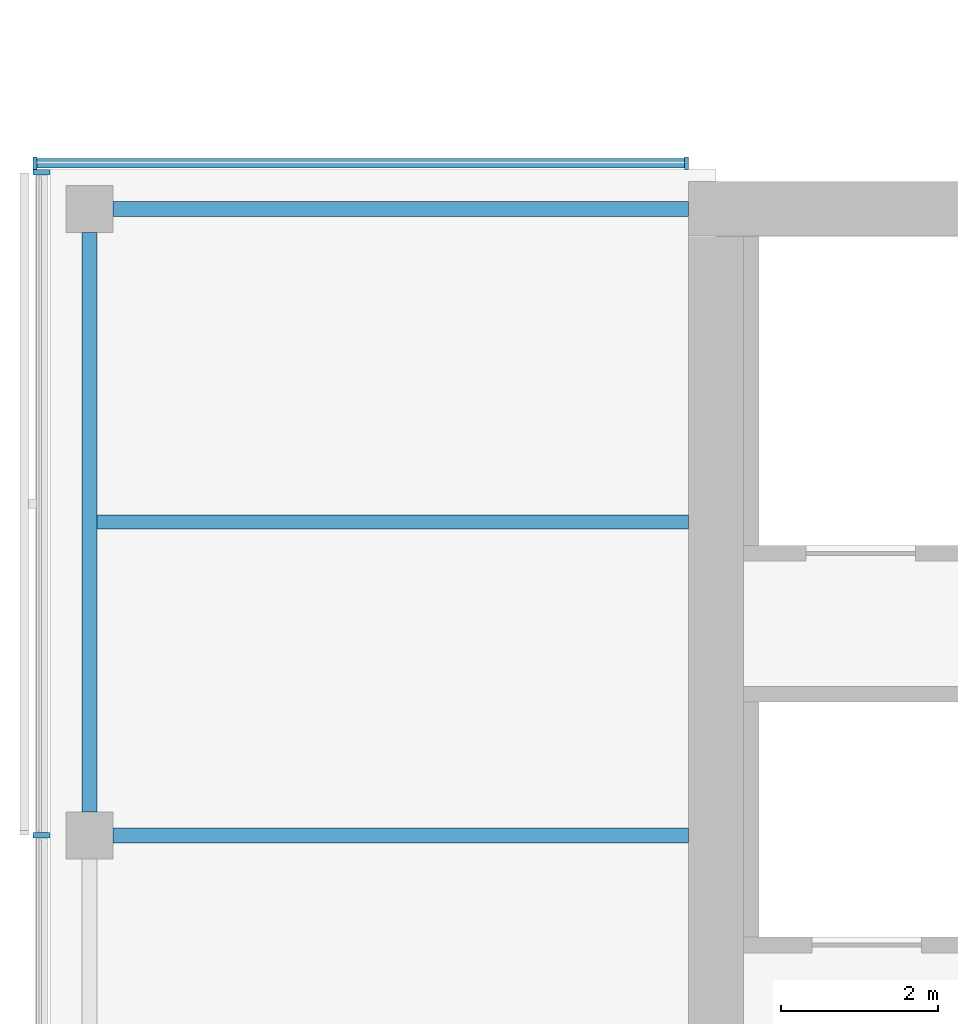
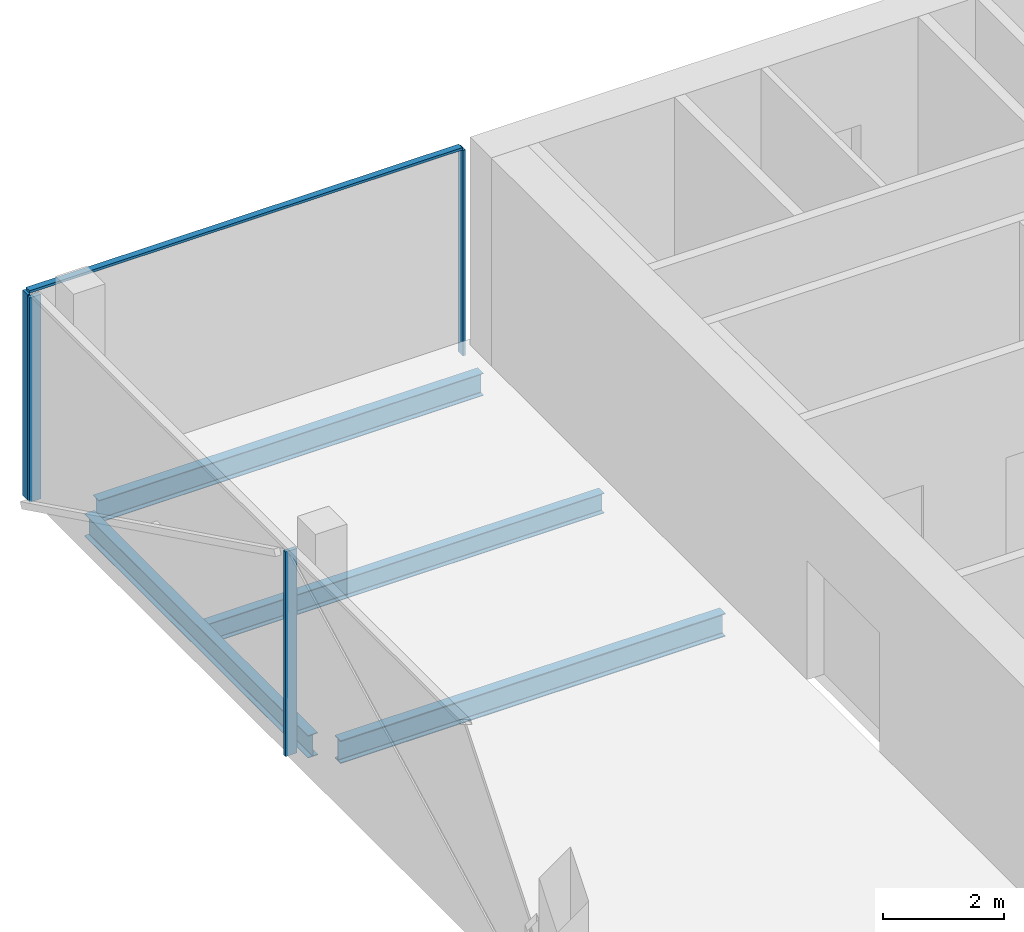
# One storey, part 7 of 22: 5 members, 4 beams, 2 elements without a shape of their own.
"""IFC4 building model written with IfcOpenShell, lengths in metres."""

from ifc_helpers import new_model, si_unit, direction, frame, origin, origin_2d, place, context, subcontext, project, spatial, rectangle, i_section, extrude, material, material_profile, profile_set, type_object, element, aggregate, save


model = new_model("IFC4")

# Units and contexts
model_context = context("Model", 3, precision=1e-05, world=origin(), true_north=direction((0.0, 1.0)))
body_context = subcontext(model_context, "Body", "Model", "MODEL_VIEW")
ifc_project = project(units=[si_unit("LENGTHUNIT", "METRE"), si_unit("AREAUNIT", "SQUARE_METRE"), si_unit("VOLUMEUNIT", "CUBIC_METRE"), si_unit("PLANEANGLEUNIT", "RADIAN"), si_unit("MASSUNIT", "GRAM", prefix="KILO")], contexts=[model_context])

# Site, building, storey
site_placement = place(None, origin())
site = spatial("IfcSite", under=ifc_project, at=site_placement, CompositionType="ELEMENT")
building_placement = place(site_placement, origin())
building = spatial("IfcBuilding", under=site, at=building_placement, Name="Crosswind Convention Tower", CompositionType="ELEMENT")
storey_placement = place(building_placement, frame((0.0, 0.0, 137.89990234375)))
storey = spatial("IfcBuildingStorey", under=building, at=storey_placement, Name="L28", CompositionType="ELEMENT", Elevation=137.89990234375)

# Beams
ifc_material_1 = material(Name="Steel S355", Category="steel")
ifc_material_profile_1 = material_profile(ifc_material_1, i_section(OverallWidth=0.18994140625, OverallDepth=0.45361328125, WebThickness=0.008544921875, FlangeThickness=0.0126953125, FilletRadius=0.01025390625, at=origin_2d()), Name="UB 457x191x67")
ifc_profile_set_1 = profile_set([ifc_material_profile_1], Name="Steel S355")
beam_type_1 = type_object("IfcBeamType", Name="Edge beam UB 457x191x67", PredefinedType="SPANDREL", material=ifc_profile_set_1)
beam_1_placement = place(storey_placement, frame((89.0, 104.300048828125, -0.526611328125), z_axis=(0.0, 1.0, 0.0), x_axis=(-1.0, 0.0, 0.0)))
element("IfcBeam", 1, at=beam_1_placement, inside=storey, type_object=beam_type_1, Name="B16 L28 edge beam 3", PredefinedType="SPANDREL", context=body_context, shape_type="SweptSolid", body=[
    extrude(i_section(OverallWidth=0.18994140625, OverallDepth=0.45361328125, WebThickness=0.008544921875, FlangeThickness=0.0126953125, FilletRadius=0.01025390625, at=origin_2d()), origin(), (0.0, 0.0, 1.0), 7.39990234375),
])
beam_2_placement = place(storey_placement, frame((89.300048828125, 112.0, -0.526611328125), z_axis=(1.0, 0.0, 0.0), x_axis=(0.0, 1.0, 0.0)))
element("IfcBeam", 2, at=beam_2_placement, inside=storey, type_object=beam_type_1, Name="B16 L28 edge beam 5", PredefinedType="SPANDREL", context=body_context, shape_type="SweptSolid", body=[
    extrude(i_section(OverallWidth=0.18994140625, OverallDepth=0.45361328125, WebThickness=0.008544921875, FlangeThickness=0.0126953125, FilletRadius=0.01025390625, at=origin_2d()), origin(), (0.0, 0.0, 1.0), 7.349853515625),
])
ifc_material_profile_2 = material_profile(ifc_material_1, i_section(OverallWidth=0.19189453125, OverallDepth=0.463623046875, WebThickness=0.010498046875, FlangeThickness=0.017578125, FilletRadius=0.01025390625, at=origin_2d()), Name="UB 457x191x90")
ifc_profile_set_2 = profile_set([ifc_material_profile_2], Name="Steel S355")
beam_type_2 = type_object("IfcBeamType", Name="Girder at core wall UB 457x191x90", PredefinedType="BEAM", material=ifc_profile_set_2)
beam_3_placement = place(storey_placement, frame((89.300048828125, 104.0, -0.53173828125), z_axis=(1.0, 0.0, 0.0), x_axis=(0.0, 1.0, 0.0)))
element("IfcBeam", 3, at=beam_3_placement, inside=storey, type_object=beam_type_2, Name="B24 L28 girder at core wall 2", PredefinedType="BEAM", context=body_context, shape_type="SweptSolid", body=[
    extrude(i_section(OverallWidth=0.19189453125, OverallDepth=0.463623046875, WebThickness=0.010498046875, FlangeThickness=0.017578125, FilletRadius=0.01025390625, at=origin_2d()), origin(), (0.0, 0.0, 1.0), 7.349853515625),
])

# Curtain wall, members
ifc_material_2 = material(Name="Aluminium unitised curtain wall", Category="aluminium")
curtain_wall_type_1 = type_object("IfcCurtainWallType", Name="CORE END SLOT WALL 160", PredefinedType="USERDEFINED", material=ifc_material_2)
curtain_wall_1_placement = place(storey_placement, origin())
curtain_wall_1 = element("IfcCurtainWall", 4, at=curtain_wall_1_placement, inside=storey, type_object=curtain_wall_type_1, Name="CW6 L28 W-N.2-1 slot", ObjectType="UNITISED", PredefinedType="USERDEFINED")
ifc_material_3 = material(Name="Aluminium mullion", Category="aluminium")
ifc_material_profile_3 = material_profile(ifc_material_3, rectangle(XDim=0.159912109375, YDim=0.050048828125, at=origin_2d()), Name="AL 160X50")
ifc_profile_set_3 = profile_set([ifc_material_profile_3], Name="Aluminium mullion")
member_type_1 = type_object("IfcMemberType", Name="MULLION 50X160", PredefinedType="MULLION", material=ifc_profile_set_3)
member_1_placement = place(storey_placement, frame((96.625, 112.580078125, -0.2998046875), z_axis=(0.0, 0.0, 1.0), x_axis=(0.0, 1.0, 0.0)))
member_1 = element("IfcMember", 5, at=member_1_placement, type_object=member_type_1, Name="CW6 mullion 1", PredefinedType="MULLION", context=body_context, shape_type="SweptSolid", body=[
    extrude(rectangle(XDim=0.159912109375, YDim=0.050048828125, at=origin_2d()), origin(), (0.0, 0.0, 1.0), 4.14990234375),
])
member_2_placement = place(storey_placement, frame((88.304931640625, 112.580078125, -0.2998046875), z_axis=(0.0, 0.0, 1.0), x_axis=(0.0, 1.0, 0.0)))
member_2 = element("IfcMember", 6, at=member_2_placement, type_object=member_type_1, Name="CW6 mullion 2", PredefinedType="MULLION", context=body_context, shape_type="SweptSolid", body=[
    extrude(rectangle(XDim=0.159912109375, YDim=0.050048828125, at=origin_2d()), origin(), (0.0, 0.0, 1.0), 4.14990234375),
])

curtain_wall_type_2 = type_object("IfcCurtainWallType", Name="OFFICE UNITISED WALL 220", PredefinedType="USERDEFINED", material=ifc_material_2)
curtain_wall_2_placement = place(storey_placement, origin())
curtain_wall_2 = element("IfcCurtainWall", 7, at=curtain_wall_2_placement, inside=storey, type_object=curtain_wall_type_2, Name="CW3 L28 W-TIP 1", ObjectType="UNITISED", PredefinedType="USERDEFINED")
ifc_material_profile_4 = material_profile(ifc_material_3, rectangle(XDim=0.219970703125, YDim=0.070068359375, at=origin_2d()), Name="AL 220X70")
ifc_profile_set_4 = profile_set([ifc_material_profile_4], Name="Aluminium mullion")
member_type_2 = type_object("IfcMemberType", Name="MULLION 70X220", PredefinedType="MULLION", material=ifc_profile_set_4)
member_3_placement = place(storey_placement, frame((88.389892578125, 112.465087890625, -0.2998046875), z_axis=(0.0, 0.0, 1.0), x_axis=(-1.0, 0.0, 0.0)))
member_3 = element("IfcMember", 8, at=member_3_placement, type_object=member_type_2, Name="CW3 mullion 1", PredefinedType="MULLION", context=body_context, shape_type="SweptSolid", body=[
    extrude(rectangle(XDim=0.219970703125, YDim=0.070068359375, at=origin_2d()), origin(), (0.0, 0.0, 1.0), 4.1298828125),
])
member_4_placement = place(storey_placement, frame((88.389892578125, 104.0, -0.2998046875), z_axis=(0.0, 0.0, 1.0), x_axis=(-1.0, 0.0, 0.0)))
member_4 = element("IfcMember", 9, at=member_4_placement, type_object=member_type_2, Name="CW3 mullion 2", PredefinedType="MULLION", context=body_context, shape_type="SweptSolid", body=[
    extrude(rectangle(XDim=0.219970703125, YDim=0.070068359375, at=origin_2d()), origin(), (0.0, 0.0, 1.0), 4.1298828125),
])
aggregate(curtain_wall_2, [member_3, member_4])

# Beam
ifc_material_profile_5 = material_profile(ifc_material_1, i_section(OverallWidth=0.177734375, OverallDepth=0.406494140625, WebThickness=0.0078125, FlangeThickness=0.0126953125, FilletRadius=0.01025390625, at=origin_2d()), Name="UB 406x178x60")
ifc_profile_set_5 = profile_set([ifc_material_profile_5], Name="Steel S355")
beam_type_3 = type_object("IfcBeamType", Name="Secondary beam UB 406x178x60", PredefinedType="JOIST", material=ifc_profile_set_5)
beam_4_placement = place(storey_placement, frame((89.094970703125, 108.0, -0.503173828125), z_axis=(1.0, 0.0, 0.0), x_axis=(0.0, 1.0, 0.0)))
element("IfcBeam", 10, at=beam_4_placement, inside=storey, type_object=beam_type_3, Name="B10 L28 secondary beam 3", PredefinedType="JOIST", context=body_context, shape_type="SweptSolid", body=[
    extrude(i_section(OverallWidth=0.177734375, OverallDepth=0.406494140625, WebThickness=0.0078125, FlangeThickness=0.0126953125, FilletRadius=0.01025390625, at=origin_2d()), origin(), (0.0, 0.0, 1.0), 7.554931640625),
])

# Member
ifc_material_4 = material(Name="Aluminium transom", Category="aluminium")
ifc_material_profile_6 = material_profile(ifc_material_4, rectangle(XDim=0.1201171875, YDim=0.050048828125, at=origin_2d()), Name="AL 120X50")
ifc_profile_set_6 = profile_set([ifc_material_profile_6], Name="Aluminium transom")
member_type_3 = type_object("IfcMemberType", Name="TRANSOM 50X120", PredefinedType="USERDEFINED", material=ifc_profile_set_6)
member_5_placement = place(storey_placement, frame((96.60009765625, 112.580078125, 3.875), z_axis=(-1.0, 0.0, 0.0), x_axis=(0.0, -1.0, 0.0)))
member_5 = element("IfcMember", 11, at=member_5_placement, type_object=member_type_3, Name="CW6 transom", ObjectType="TRANSOM", PredefinedType="USERDEFINED", context=body_context, shape_type="SweptSolid", body=[
    extrude(rectangle(XDim=0.1201171875, YDim=0.050048828125, at=origin_2d()), origin(), (0.0, 0.0, 1.0), 8.27001953125),
])

aggregate(curtain_wall_1, [member_1, member_2, member_5])

save(model, "model.ifc")
